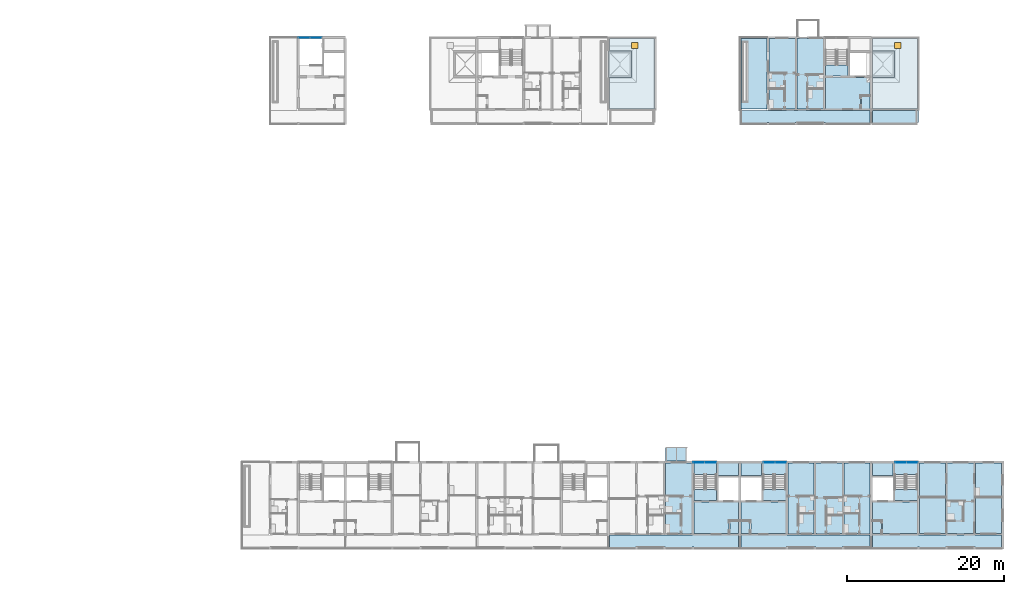
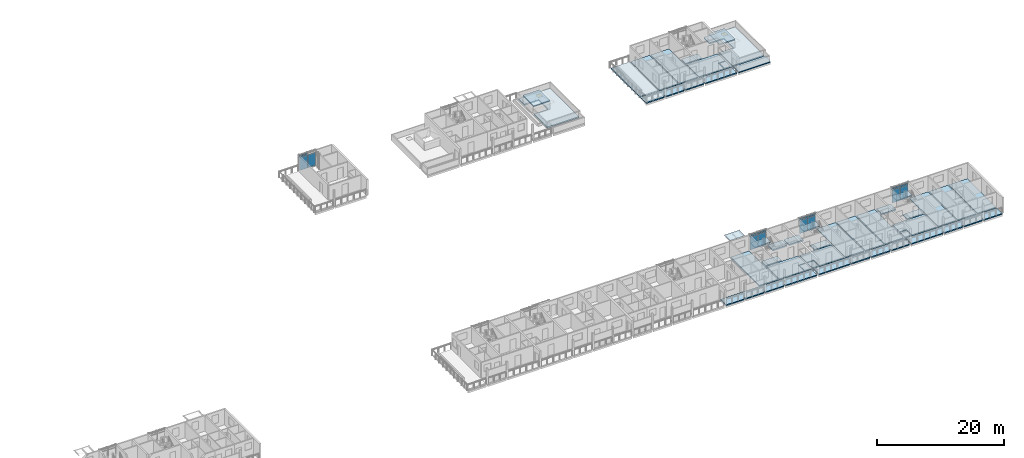
# One storey, part 29 of 78: 38 slabs, 15 plates, 2 doors, 2 openings, 7 elements without a shape of their own.
"""IFC4 building model written with IfcOpenShell, lengths in metres."""

from ifc_helpers import new_model, si_unit, direction, frame, origin, origin_2d, place, context, subcontext, project, spatial, polyline, rectangle, outline, extrude, material, layer, layer_set, type_object, element, fill, aggregate, save


model = new_model("IFC4")

# Units and contexts
model_context = context("Model", 3, precision=1e-05, world=origin(), true_north=direction((0.0, 1.0)))
body_context = subcontext(model_context, "Body", "Model", "MODEL_VIEW")
ifc_project = project(units=[si_unit("LENGTHUNIT", "METRE"), si_unit("AREAUNIT", "SQUARE_METRE"), si_unit("VOLUMEUNIT", "CUBIC_METRE"), si_unit("PLANEANGLEUNIT", "RADIAN"), si_unit("MASSUNIT", "GRAM", prefix="KILO")], contexts=[model_context])

# Site, building, storey
site_placement = place(None, origin())
site = spatial("IfcSite", under=ifc_project, at=site_placement, CompositionType="ELEMENT")
building_placement = place(site_placement, origin())
building = spatial("IfcBuilding", under=site, at=building_placement, Name="Ridgestep Commons", CompositionType="ELEMENT")
storey_placement = place(building_placement, frame((0.0, 0.0, 30.0)))
storey = spatial("IfcBuildingStorey", under=building, at=storey_placement, Name="L10", CompositionType="ELEMENT", Elevation=30.0)

# Slabs
ifc_material_1 = material(Name="Precast concrete C40/50", Category="concrete")
ifc_layer_1 = layer(ifc_material_1, 0.199951171875)
ifc_layer_set_1 = layer_set([ifc_layer_1], Name="Gallery roof slab 200")
slab_type_1 = type_object("IfcSlabType", Name="Gallery roof slab 200", PredefinedType="ROOF", material=ifc_layer_set_1)
slab_1_placement = place(storey_placement, frame((0.0, 0.0, -0.199951171875)))
element("IfcSlab", 1, at=slab_1_placement, inside=storey, type_object=slab_type_1, Name="Gallery slab C6 L10", PredefinedType="ROOF", context=body_context, shape_type="SweptSolid", body=[
    extrude(outline(polyline([(230.949951171875, 66.0), (236.675048828125, 66.0), (236.675048828125, 66.25), (236.800048828125, 66.25), (236.800048828125, 67.800048828125), (230.949951171875, 67.800048828125), (230.949951171875, 66.0)])), origin(), (0.0, 0.0, 1.0), 0.199951171875),
])
ifc_material_2 = material(Name="Precast concrete C40/50", Category="concrete")
ifc_layer_2 = layer(ifc_material_2, 0.199951171875)
ifc_layer_set_2 = layer_set([ifc_layer_2], Name="Gallery slab 200")
slab_type_2 = type_object("IfcSlabType", Name="Gallery slab 200", PredefinedType="FLOOR", material=ifc_layer_set_2)
slab_2_placement = place(storey_placement, frame((0.0, 0.0, -0.199951171875)))
element("IfcSlab", 2, at=slab_2_placement, inside=storey, type_object=slab_type_2, Name="Gallery slab C5 L10", PredefinedType="FLOOR", context=body_context, shape_type="SweptSolid", body=[
    extrude(outline(polyline([(230.64990234375, 67.800048828125), (214.14990234375, 67.800048828125), (214.14990234375, 66.0), (217.47509765625, 66.0), (217.47509765625, 66.25), (217.72509765625, 66.25), (217.72509765625, 66.0), (221.074951171875, 66.0), (221.074951171875, 66.25), (221.324951171875, 66.25), (221.324951171875, 66.0), (224.675048828125, 66.0), (224.675048828125, 66.25), (224.925048828125, 66.25), (224.925048828125, 66.0), (230.64990234375, 66.0), (230.64990234375, 67.800048828125)])), origin(), (0.0, 0.0, 1.0), 0.199951171875),
])
slab_3_placement = place(storey_placement, frame((0.0, 0.0, -0.199951171875)))
element("IfcSlab", 3, at=slab_3_placement, inside=storey, type_object=slab_type_2, Name="Gallery slab D4 L10", PredefinedType="FLOOR", context=body_context, shape_type="SweptSolid", body=[
    extrude(outline(polyline([(213.85009765625, 13.550048828125), (197.35009765625, 13.550048828125), (197.35009765625, 11.75), (200.675048828125, 11.75), (200.675048828125, 12.0), (200.925048828125, 12.0), (200.925048828125, 11.75), (204.27490234375, 11.75), (204.27490234375, 12.0), (204.52490234375, 12.0), (204.52490234375, 11.75), (207.875, 11.75), (207.875, 12.0), (208.125, 12.0), (208.125, 11.75), (213.85009765625, 11.75), (213.85009765625, 13.550048828125)])), origin(), (0.0, 0.0, 1.0), 0.199951171875),
])
slab_4_placement = place(storey_placement, frame((0.0, 0.0, -0.199951171875)))
element("IfcSlab", 4, at=slab_4_placement, inside=storey, type_object=slab_type_2, Name="Gallery slab D5 L10", PredefinedType="FLOOR", context=body_context, shape_type="SweptSolid", body=[
    extrude(outline(polyline([(230.64990234375, 13.550048828125), (214.14990234375, 13.550048828125), (214.14990234375, 11.75), (219.875, 11.75), (219.875, 12.0), (220.125, 12.0), (220.125, 11.75), (223.47509765625, 11.75), (223.47509765625, 12.0), (223.72509765625, 12.0), (223.72509765625, 11.75), (227.074951171875, 11.75), (227.074951171875, 12.0), (227.324951171875, 12.0), (227.324951171875, 11.75), (230.64990234375, 11.75), (230.64990234375, 13.550048828125)])), origin(), (0.0, 0.0, 1.0), 0.199951171875),
])
slab_5_placement = place(storey_placement, frame((0.0, 0.0, -0.199951171875)))
element("IfcSlab", 5, at=slab_5_placement, inside=storey, type_object=slab_type_2, Name="Gallery slab D6 L10", PredefinedType="FLOOR", context=body_context, shape_type="SweptSolid", body=[
    extrude(outline(polyline([(247.449951171875, 13.550048828125), (230.949951171875, 13.550048828125), (230.949951171875, 11.75), (236.675048828125, 11.75), (236.675048828125, 12.0), (236.925048828125, 12.0), (236.925048828125, 11.75), (240.27490234375, 11.75), (240.27490234375, 12.0), (240.52490234375, 12.0), (240.52490234375, 11.75), (243.875, 11.75), (243.875, 12.0), (244.125, 12.0), (244.125, 11.75), (247.449951171875, 11.75), (247.449951171875, 13.550048828125)])), origin(), (0.0, 0.0, 1.0), 0.199951171875),
])

# Curtain wall, plates
ifc_material_3 = material(Name="Aluminium 6063-T6 and glass", Category="aluminium")
curtain_wall_type = type_object("IfcCurtainWallType", Name="Curtain wall stair strip", PredefinedType="NOTDEFINED", material=ifc_material_3)
curtain_wall_1_placement = place(storey_placement, origin())
curtain_wall_1 = element("IfcCurtainWall", 6, at=curtain_wall_1_placement, inside=storey, type_object=curtain_wall_type, Name="Curtain wall D4C level 10", PredefinedType="NOTDEFINED")
ifc_material_4 = material(Name="Glass laminated 6/16/6 low-emissivity", Category="glass")
ifc_layer_3 = layer(ifc_material_4, 0.028076171875)
ifc_layer_set_3 = layer_set([ifc_layer_3], Name="Glazing panel 28")
plate_type_1 = type_object("IfcPlateType", Name="Glazing panel 28", PredefinedType="CURTAIN_PANEL", material=ifc_layer_set_3)
plate_1_placement = place(storey_placement, frame((208.771240234375, 22.830078125, 0.06005859375), z_axis=(0.0, 0.0, 1.0), x_axis=(1.0, 0.0, 0.0)))
plate_1 = element("IfcPlate", 7, at=plate_1_placement, type_object=plate_type_1, Name="CW1 panel 1.1", PredefinedType="CURTAIN_PANEL", context=body_context, shape_type="SweptSolid", body=[
    extrude(rectangle(XDim=1.422607421875, YDim=0.028076171875, at=origin_2d()), origin(), (0.0, 0.0, 1.0), 2.5),
])
plate_2_placement = place(storey_placement, frame((210.253662109375, 22.830078125, 0.06005859375), z_axis=(0.0, 0.0, 1.0), x_axis=(1.0, 0.0, 0.0)))
plate_2 = element("IfcPlate", 8, at=plate_2_placement, type_object=plate_type_1, Name="CW1 panel 2.1", PredefinedType="CURTAIN_PANEL", context=body_context, shape_type="SweptSolid", body=[
    extrude(rectangle(XDim=1.422607421875, YDim=0.028076171875, at=origin_2d()), origin(), (0.0, 0.0, 1.0), 2.5),
])

curtain_wall_2_placement = place(storey_placement, origin())
curtain_wall_2 = element("IfcCurtainWall", 9, at=curtain_wall_2_placement, inside=storey, type_object=curtain_wall_type, Name="Curtain wall D5C level 10", PredefinedType="NOTDEFINED")
plate_3_placement = place(storey_placement, frame((217.746337890625, 22.830078125, 0.06005859375), z_axis=(0.0, 0.0, 1.0), x_axis=(1.0, 0.0, 0.0)))
plate_3 = element("IfcPlate", 10, at=plate_3_placement, type_object=plate_type_1, Name="CW1 panel 1.1", PredefinedType="CURTAIN_PANEL", context=body_context, shape_type="SweptSolid", body=[
    extrude(rectangle(XDim=1.422607421875, YDim=0.028076171875, at=origin_2d()), origin(), (0.0, 0.0, 1.0), 2.5),
])
plate_4_placement = place(storey_placement, frame((219.228759765625, 22.830078125, 0.06005859375), z_axis=(0.0, 0.0, 1.0), x_axis=(1.0, 0.0, 0.0)))
plate_4 = element("IfcPlate", 11, at=plate_4_placement, type_object=plate_type_1, Name="CW1 panel 2.1", PredefinedType="CURTAIN_PANEL", context=body_context, shape_type="SweptSolid", body=[
    extrude(rectangle(XDim=1.422607421875, YDim=0.028076171875, at=origin_2d()), origin(), (0.0, 0.0, 1.0), 2.5),
])

curtain_wall_3_placement = place(storey_placement, origin())
curtain_wall_3 = element("IfcCurtainWall", 12, at=curtain_wall_3_placement, inside=storey, type_object=curtain_wall_type, Name="Curtain wall D6C level 10", PredefinedType="NOTDEFINED")
plate_5_placement = place(storey_placement, frame((234.546142578125, 22.830078125, 0.06005859375), z_axis=(0.0, 0.0, 1.0), x_axis=(1.0, 0.0, 0.0)))
plate_5 = element("IfcPlate", 13, at=plate_5_placement, type_object=plate_type_1, Name="CW1 panel 1.1", PredefinedType="CURTAIN_PANEL", context=body_context, shape_type="SweptSolid", body=[
    extrude(rectangle(XDim=1.422607421875, YDim=0.028076171875, at=origin_2d()), origin(), (0.0, 0.0, 1.0), 2.5),
])
plate_6_placement = place(storey_placement, frame((236.02880859375, 22.830078125, 0.06005859375), z_axis=(0.0, 0.0, 1.0), x_axis=(1.0, 0.0, 0.0)))
plate_6 = element("IfcPlate", 14, at=plate_6_placement, type_object=plate_type_1, Name="CW1 panel 2.1", PredefinedType="CURTAIN_PANEL", context=body_context, shape_type="SweptSolid", body=[
    extrude(rectangle(XDim=1.422607421875, YDim=0.028076171875, at=origin_2d()), origin(), (0.0, 0.0, 1.0), 2.5),
])

curtain_wall_4_placement = place(storey_placement, origin())
curtain_wall_4 = element("IfcCurtainWall", 15, at=curtain_wall_4_placement, inside=storey, type_object=curtain_wall_type, Name="Curtain wall C1C level 10", PredefinedType="NOTDEFINED")
plate_7_placement = place(storey_placement, frame((158.371337890625, 77.080078125, 0.06005859375), z_axis=(0.0, 0.0, 1.0), x_axis=(1.0, 0.0, 0.0)))
plate_7 = element("IfcPlate", 16, at=plate_7_placement, type_object=plate_type_1, Name="CW1 panel 1.1", PredefinedType="CURTAIN_PANEL", context=body_context, shape_type="SweptSolid", body=[
    extrude(rectangle(XDim=1.422607421875, YDim=0.028076171875, at=origin_2d()), origin(), (0.0, 0.0, 1.0), 2.5),
])
plate_8_placement = place(storey_placement, frame((159.853759765625, 77.080078125, 0.06005859375), z_axis=(0.0, 0.0, 1.0), x_axis=(1.0, 0.0, 0.0)))
plate_8 = element("IfcPlate", 17, at=plate_8_placement, type_object=plate_type_1, Name="CW1 panel 2.1", PredefinedType="CURTAIN_PANEL", context=body_context, shape_type="SweptSolid", body=[
    extrude(rectangle(XDim=1.422607421875, YDim=0.028076171875, at=origin_2d()), origin(), (0.0, 0.0, 1.0), 2.5),
])

# Slabs
ifc_material_5 = material(Name="Precast concrete C50/60", Category="concrete")
ifc_layer_4 = layer(ifc_material_5, 0.199951171875)
ifc_layer_set_4 = layer_set([ifc_layer_4], Name="Hollow-core plank 200")
slab_type_3 = type_object("IfcSlabType", Name="Hollow-core plank 200", PredefinedType="FLOOR", material=ifc_layer_set_4)
slab_6_placement = place(storey_placement, frame((0.0, 0.0, -0.199951171875)))
element("IfcSlab", 18, at=slab_6_placement, inside=storey, type_object=slab_type_3, Name="Floor plank C5T2 L10", PredefinedType="FLOOR", context=body_context, shape_type="SweptSolid", body=[
    extrude(outline(polyline([(221.10009765625, 68.0), (221.10009765625, 77.0), (217.699951171875, 77.0), (217.699951171875, 68.0), (221.10009765625, 68.0)])), origin(), (0.0, 0.0, 1.0), 0.199951171875),
])
slab_7_placement = place(storey_placement, frame((0.0, 0.0, -0.199951171875)))
element("IfcSlab", 19, at=slab_7_placement, inside=storey, type_object=slab_type_3, Name="Floor plank C5T3 L10", PredefinedType="FLOOR", context=body_context, shape_type="SweptSolid", body=[
    extrude(outline(polyline([(224.675048828125, 68.0), (224.675048828125, 77.0), (221.300048828125, 77.0), (221.300048828125, 68.0), (224.675048828125, 68.0)])), origin(), (0.0, 0.0, 1.0), 0.199951171875),
])
slab_8_placement = place(storey_placement, frame((0.0, 0.0, -0.199951171875)))
element("IfcSlab", 20, at=slab_8_placement, inside=storey, type_object=slab_type_3, Name="Floor plank D4T3 L10", PredefinedType="FLOOR", context=body_context, shape_type="SweptSolid", body=[
    extrude(outline(polyline([(207.875, 13.75), (207.875, 22.75), (204.5, 22.75), (204.5, 13.75), (207.875, 13.75)])), origin(), (0.0, 0.0, 1.0), 0.199951171875),
])
slab_9_placement = place(storey_placement, frame((0.0, 0.0, -0.199951171875)))
element("IfcSlab", 21, at=slab_9_placement, inside=storey, type_object=slab_type_3, Name="Floor plank D5T3 L10", PredefinedType="FLOOR", context=body_context, shape_type="SweptSolid", body=[
    extrude(outline(polyline([(223.5, 13.75), (223.5, 22.75), (220.125, 22.75), (220.125, 13.75), (223.5, 13.75)])), origin(), (0.0, 0.0, 1.0), 0.199951171875),
])
slab_10_placement = place(storey_placement, frame((0.0, 0.0, -0.199951171875)))
element("IfcSlab", 22, at=slab_10_placement, inside=storey, type_object=slab_type_3, Name="Floor plank D5T2 L10", PredefinedType="FLOOR", context=body_context, shape_type="SweptSolid", body=[
    extrude(outline(polyline([(227.10009765625, 13.75), (227.10009765625, 22.75), (223.699951171875, 22.75), (223.699951171875, 13.75), (227.10009765625, 13.75)])), origin(), (0.0, 0.0, 1.0), 0.199951171875),
])
slab_11_placement = place(storey_placement, frame((0.0, 0.0, -0.199951171875)))
element("IfcSlab", 23, at=slab_11_placement, inside=storey, type_object=slab_type_3, Name="Floor plank D5T1 L10", PredefinedType="FLOOR", context=body_context, shape_type="SweptSolid", body=[
    extrude(outline(polyline([(230.64990234375, 13.75), (230.64990234375, 22.75), (227.300048828125, 22.75), (227.300048828125, 13.75), (230.64990234375, 13.75)])), origin(), (0.0, 0.0, 1.0), 0.199951171875),
])
slab_12_placement = place(storey_placement, frame((0.0, 0.0, -0.199951171875)))
element("IfcSlab", 24, at=slab_12_placement, inside=storey, type_object=slab_type_3, Name="Floor plank D6T3 L10", PredefinedType="FLOOR", context=body_context, shape_type="SweptSolid", body=[
    extrude(outline(polyline([(240.300048828125, 13.75), (240.300048828125, 22.75), (236.925048828125, 22.75), (236.925048828125, 13.75), (240.300048828125, 13.75)])), origin(), (0.0, 0.0, 1.0), 0.199951171875),
])
slab_13_placement = place(storey_placement, frame((0.0, 0.0, -0.199951171875)))
element("IfcSlab", 25, at=slab_13_placement, inside=storey, type_object=slab_type_3, Name="Floor plank D6T2 L10", PredefinedType="FLOOR", context=body_context, shape_type="SweptSolid", body=[
    extrude(outline(polyline([(243.89990234375, 13.75), (243.89990234375, 22.75), (240.5, 22.75), (240.5, 13.75), (243.89990234375, 13.75)])), origin(), (0.0, 0.0, 1.0), 0.199951171875),
])
slab_14_placement = place(storey_placement, frame((0.0, 0.0, -0.199951171875)))
element("IfcSlab", 26, at=slab_14_placement, inside=storey, type_object=slab_type_3, Name="Floor plank D6T1 L10", PredefinedType="FLOOR", context=body_context, shape_type="SweptSolid", body=[
    extrude(outline(polyline([(247.449951171875, 13.75), (247.449951171875, 22.75), (244.10009765625, 22.75), (244.10009765625, 13.75), (247.449951171875, 13.75)])), origin(), (0.0, 0.0, 1.0), 0.199951171875),
])
ifc_material_6 = material(Name="Precast concrete C50/60", Category="concrete")
ifc_layer_5 = layer(ifc_material_6, 0.25)
ifc_layer_set_5 = layer_set([ifc_layer_5], Name="Hollow-core plank 250")
slab_type_4 = type_object("IfcSlabType", Name="Hollow-core plank 250", PredefinedType="FLOOR", material=ifc_layer_set_5)
slab_15_placement = place(storey_placement, frame((0.0, 0.0, -0.25)))
element("IfcSlab", 27, at=slab_15_placement, inside=storey, type_object=slab_type_4, Name="Floor plank C5C L10", PredefinedType="FLOOR", context=body_context, shape_type="SweptSolid", body=[
    extrude(outline(polyline([(229.52001953125, 69.719970703125), (230.64990234375, 69.719970703125), (230.64990234375, 72.0), (224.925048828125, 72.0), (224.925048828125, 68.0), (229.39990234375, 68.0), (229.39990234375, 69.719970703125), (229.52001953125, 69.719970703125)])), origin(), (0.0, 0.0, 1.0), 0.25),
])
slab_16_placement = place(storey_placement, frame((0.0, 0.0, -0.25)))
element("IfcSlab", 28, at=slab_16_placement, inside=storey, type_object=slab_type_4, Name="Floor plank C5C L10", PredefinedType="FLOOR", context=body_context, shape_type="SweptSolid", body=[
    extrude(outline(polyline([(227.824951171875, 72.199951171875), (227.824951171875, 73.60009765625), (224.925048828125, 73.60009765625), (224.925048828125, 72.199951171875), (227.824951171875, 72.199951171875)])), origin(), (0.0, 0.0, 1.0), 0.25),
])
slab_17_placement = place(storey_placement, frame((0.0, 0.0, -0.25)))
element("IfcSlab", 29, at=slab_17_placement, inside=storey, type_object=slab_type_4, Name="Floor plank C5C L10", PredefinedType="FLOOR", context=body_context, shape_type="SweptSolid", body=[
    extrude(outline(polyline([(229.52001953125, 68.0), (230.64990234375, 68.0), (230.64990234375, 69.60009765625), (229.52001953125, 69.60009765625), (229.52001953125, 68.0)])), origin(), (0.0, 0.0, 1.0), 0.25),
])
slab_18_placement = place(storey_placement, frame((0.0, 0.0, -0.25)))
element("IfcSlab", 30, at=slab_18_placement, inside=storey, type_object=slab_type_4, Name="Floor plank D4C L10", PredefinedType="FLOOR", context=body_context, shape_type="SweptSolid", body=[
    extrude(outline(polyline([(212.719970703125, 15.469970703125), (213.85009765625, 15.469970703125), (213.85009765625, 17.75), (208.125, 17.75), (208.125, 13.75), (212.60009765625, 13.75), (212.60009765625, 15.469970703125), (212.719970703125, 15.469970703125)])), origin(), (0.0, 0.0, 1.0), 0.25),
])
slab_19_placement = place(storey_placement, frame((0.0, 0.0, -0.25)))
element("IfcSlab", 31, at=slab_19_placement, inside=storey, type_object=slab_type_4, Name="Floor plank D4C L10", PredefinedType="FLOOR", context=body_context, shape_type="SweptSolid", body=[
    extrude(outline(polyline([(213.85009765625, 21.14990234375), (213.85009765625, 22.75), (211.22509765625, 22.75), (211.22509765625, 21.14990234375), (213.85009765625, 21.14990234375)])), origin(), (0.0, 0.0, 1.0), 0.25),
])
slab_20_placement = place(storey_placement, frame((0.0, 0.0, -0.25)))
element("IfcSlab", 32, at=slab_20_placement, inside=storey, type_object=slab_type_4, Name="Floor plank D4C L10", PredefinedType="FLOOR", context=body_context, shape_type="SweptSolid", body=[
    extrude(outline(polyline([(211.02490234375, 17.949951171875), (211.02490234375, 19.35009765625), (208.125, 19.35009765625), (208.125, 17.949951171875), (211.02490234375, 17.949951171875)])), origin(), (0.0, 0.0, 1.0), 0.25),
])
slab_21_placement = place(storey_placement, frame((0.0, 0.0, -0.25)))
element("IfcSlab", 33, at=slab_21_placement, inside=storey, type_object=slab_type_4, Name="Floor plank D4C L10", PredefinedType="FLOOR", context=body_context, shape_type="SweptSolid", body=[
    extrude(outline(polyline([(212.719970703125, 13.75), (213.85009765625, 13.75), (213.85009765625, 15.35009765625), (212.719970703125, 15.35009765625), (212.719970703125, 13.75)])), origin(), (0.0, 0.0, 1.0), 0.25),
])
slab_22_placement = place(storey_placement, frame((0.0, 0.0, -0.25)))
element("IfcSlab", 34, at=slab_22_placement, inside=storey, type_object=slab_type_4, Name="Floor plank D5C L10", PredefinedType="FLOOR", context=body_context, shape_type="SweptSolid", body=[
    extrude(outline(polyline([(215.39990234375, 13.75), (219.875, 13.75), (219.875, 17.75), (214.14990234375, 17.75), (214.14990234375, 15.469970703125), (215.280029296875, 15.469970703125), (215.39990234375, 15.469970703125), (215.39990234375, 13.75)])), origin(), (0.0, 0.0, 1.0), 0.25),
])
slab_23_placement = place(storey_placement, frame((0.0, 0.0, -0.25)))
element("IfcSlab", 35, at=slab_23_placement, inside=storey, type_object=slab_type_4, Name="Floor plank D5C L10", PredefinedType="FLOOR", context=body_context, shape_type="SweptSolid", body=[
    extrude(outline(polyline([(216.77490234375, 22.75), (214.14990234375, 22.75), (214.14990234375, 21.14990234375), (216.77490234375, 21.14990234375), (216.77490234375, 22.75)])), origin(), (0.0, 0.0, 1.0), 0.25),
])
slab_24_placement = place(storey_placement, frame((0.0, 0.0, -0.25)))
element("IfcSlab", 36, at=slab_24_placement, inside=storey, type_object=slab_type_4, Name="Floor plank D5C L10", PredefinedType="FLOOR", context=body_context, shape_type="SweptSolid", body=[
    extrude(outline(polyline([(219.875, 17.949951171875), (219.875, 19.35009765625), (216.97509765625, 19.35009765625), (216.97509765625, 17.949951171875), (219.875, 17.949951171875)])), origin(), (0.0, 0.0, 1.0), 0.25),
])
slab_25_placement = place(storey_placement, frame((0.0, 0.0, -0.25)))
element("IfcSlab", 37, at=slab_25_placement, inside=storey, type_object=slab_type_4, Name="Floor plank D5C L10", PredefinedType="FLOOR", context=body_context, shape_type="SweptSolid", body=[
    extrude(outline(polyline([(215.280029296875, 15.35009765625), (214.14990234375, 15.35009765625), (214.14990234375, 13.75), (215.280029296875, 13.75), (215.280029296875, 15.35009765625)])), origin(), (0.0, 0.0, 1.0), 0.25),
])
slab_26_placement = place(storey_placement, frame((0.0, 0.0, -0.25)))
element("IfcSlab", 38, at=slab_26_placement, inside=storey, type_object=slab_type_4, Name="Floor plank D6C L10", PredefinedType="FLOOR", context=body_context, shape_type="SweptSolid", body=[
    extrude(outline(polyline([(232.199951171875, 13.75), (236.675048828125, 13.75), (236.675048828125, 17.75), (230.949951171875, 17.75), (230.949951171875, 15.469970703125), (232.080078125, 15.469970703125), (232.199951171875, 15.469970703125), (232.199951171875, 13.75)])), origin(), (0.0, 0.0, 1.0), 0.25),
])
slab_27_placement = place(storey_placement, frame((0.0, 0.0, -0.25)))
element("IfcSlab", 39, at=slab_27_placement, inside=storey, type_object=slab_type_4, Name="Floor plank D6C L10", PredefinedType="FLOOR", context=body_context, shape_type="SweptSolid", body=[
    extrude(outline(polyline([(233.574951171875, 22.75), (230.949951171875, 22.75), (230.949951171875, 21.14990234375), (233.574951171875, 21.14990234375), (233.574951171875, 22.75)])), origin(), (0.0, 0.0, 1.0), 0.25),
])
slab_28_placement = place(storey_placement, frame((0.0, 0.0, -0.25)))
element("IfcSlab", 40, at=slab_28_placement, inside=storey, type_object=slab_type_4, Name="Floor plank D6C L10", PredefinedType="FLOOR", context=body_context, shape_type="SweptSolid", body=[
    extrude(outline(polyline([(236.675048828125, 17.949951171875), (236.675048828125, 19.35009765625), (233.77490234375, 19.35009765625), (233.77490234375, 17.949951171875), (236.675048828125, 17.949951171875)])), origin(), (0.0, 0.0, 1.0), 0.25),
])
slab_29_placement = place(storey_placement, frame((0.0, 0.0, -0.25)))
element("IfcSlab", 41, at=slab_29_placement, inside=storey, type_object=slab_type_4, Name="Floor plank D6C L10", PredefinedType="FLOOR", context=body_context, shape_type="SweptSolid", body=[
    extrude(outline(polyline([(232.080078125, 15.35009765625), (230.949951171875, 15.35009765625), (230.949951171875, 13.75), (232.080078125, 13.75), (232.080078125, 15.35009765625)])), origin(), (0.0, 0.0, 1.0), 0.25),
])
ifc_material_7 = material(Name="Precast concrete C50/60", Category="concrete")
ifc_layer_6 = layer(ifc_material_7, 0.199951171875)
ifc_layer_set_6 = layer_set([ifc_layer_6], Name="Overrun roof 200")
slab_type_5 = type_object("IfcSlabType", Name="Overrun roof 200", PredefinedType="ROOF", material=ifc_layer_set_6)
slab_30_placement = place(storey_placement, frame((0.0, 0.0, 1.5)))
element("IfcSlab", 42, at=slab_30_placement, inside=storey, type_object=slab_type_5, Name="Lift overrun roof C4C", PredefinedType="ROOF", context=body_context, shape_type="SweptSolid", body=[
    extrude(outline(polyline([(200.175048828125, 72.0), (200.175048828125, 75.39990234375), (197.199951171875, 75.39990234375), (197.199951171875, 72.0), (200.175048828125, 72.0)])), origin(), (0.0, 0.0, 1.0), 0.199951171875),
])
slab_31_placement = place(storey_placement, frame((0.0, 0.0, 1.5)))
element("IfcSlab", 43, at=slab_31_placement, inside=storey, type_object=slab_type_5, Name="Lift overrun roof C6C", PredefinedType="ROOF", context=body_context, shape_type="SweptSolid", body=[
    extrude(outline(polyline([(233.77490234375, 75.39990234375), (230.949951171875, 75.39990234375), (230.949951171875, 72.0), (233.77490234375, 72.0), (233.77490234375, 75.39990234375)])), origin(), (0.0, 0.0, 1.0), 0.199951171875),
])

# Slab, opening, door
ifc_material_8 = material(Name="Precast concrete C50/60", Category="concrete")
ifc_layer_7 = layer(ifc_material_8, 0.25)
ifc_layer_set_7 = layer_set([ifc_layer_7], Name="Roof slab 250")
slab_type_6 = type_object("IfcSlabType", Name="Roof slab 250", PredefinedType="ROOF", material=ifc_layer_set_7)
slab_32_placement = place(storey_placement, frame((0.0, 0.0, -0.25)))
slab_32 = element("IfcSlab", 44, at=slab_32_placement, inside=storey, type_object=slab_type_6, Name="Roof slab C4C", PredefinedType="ROOF", context=body_context, shape_type="SweptSolid", body=[
    extrude(outline(polyline([(197.35009765625, 77.0), (197.35009765625, 75.199951171875), (199.97509765625, 75.199951171875), (199.97509765625, 72.199951171875), (197.35009765625, 72.199951171875), (197.35009765625, 68.0), (203.074951171875, 68.0), (203.074951171875, 77.0), (197.35009765625, 77.0)])), origin(), (0.0, 0.0, 1.0), 0.25),
])
opening_1_placement = place(slab_32_placement, frame((200.574951171875, 76.10009765625, 0.0)))
opening_1 = element("IfcOpeningElement", 45, at=opening_1_placement, cuts=slab_32, Name="Opening C4C/RF/1", PredefinedType="OPENING", context=body_context, shape_type="SweptSolid", body=[
    extrude(rectangle(XDim=0.800048828125, YDim=0.800048828125, at=origin_2d()), origin(), (0.0, 0.0, 1.0), 0.25),
])
ifc_material_9 = material(Name="Steel", Category="steel")
door_type = type_object("IfcDoorType", Name="Ladder roof hatch 800 x 800", OperationType="SINGLE_SWING_LEFT", PredefinedType="TRAPDOOR", material=ifc_material_9)
door_1_placement = place(opening_1_placement, frame((0.0, 0.0, 0.199951171875)))
door_1 = element("IfcDoor", 46, at=door_1_placement, inside=storey, type_object=door_type, Name="Roof hatch C4C", OperationType="SINGLE_SWING_LEFT", OverallHeight=0.800048828125, OverallWidth=0.800048828125, PredefinedType="TRAPDOOR", context=body_context, shape_type="SweptSolid", body=[
    extrude(rectangle(XDim=0.800048828125, YDim=0.800048828125, at=origin_2d()), origin(), (0.0, 0.0, 1.0), 0.050048828125),
])
fill(opening_1, door_1)

# Slab
slab_33_placement = place(storey_placement, frame((0.0, 0.0, -0.25)))
element("IfcSlab", 47, at=slab_33_placement, inside=storey, type_object=slab_type_6, Name="Terrace slab C5T1", PredefinedType="ROOF", context=body_context, shape_type="SweptSolid", body=[
    extrude(outline(polyline([(217.5, 68.0), (217.5, 77.0), (214.14990234375, 77.0), (214.14990234375, 68.0), (217.5, 68.0)])), origin(), (0.0, 0.0, 1.0), 0.25),
])

# Slab, opening, door
slab_34_placement = place(storey_placement, frame((0.0, 0.0, -0.25)))
slab_34 = element("IfcSlab", 48, at=slab_34_placement, inside=storey, type_object=slab_type_6, Name="Roof slab C6C", PredefinedType="ROOF", context=body_context, shape_type="SweptSolid", body=[
    extrude(outline(polyline([(230.949951171875, 77.0), (230.949951171875, 75.199951171875), (233.574951171875, 75.199951171875), (233.574951171875, 72.199951171875), (230.949951171875, 72.199951171875), (230.949951171875, 68.0), (236.675048828125, 68.0), (236.675048828125, 77.0), (230.949951171875, 77.0)])), origin(), (0.0, 0.0, 1.0), 0.25),
])
opening_2_placement = place(slab_34_placement, frame((234.175048828125, 76.10009765625, 0.0)))
opening_2 = element("IfcOpeningElement", 49, at=opening_2_placement, cuts=slab_34, Name="Opening C6C/RF/1", PredefinedType="OPENING", context=body_context, shape_type="SweptSolid", body=[
    extrude(rectangle(XDim=0.800048828125, YDim=0.800048828125, at=origin_2d()), origin(), (0.0, 0.0, 1.0), 0.25),
])
door_2_placement = place(opening_2_placement, frame((0.0, 0.0, 0.199951171875)))
door_2 = element("IfcDoor", 50, at=door_2_placement, inside=storey, type_object=door_type, Name="Roof hatch C6C", OperationType="SINGLE_SWING_LEFT", OverallHeight=0.800048828125, OverallWidth=0.800048828125, PredefinedType="TRAPDOOR", context=body_context, shape_type="SweptSolid", body=[
    extrude(rectangle(XDim=0.800048828125, YDim=0.800048828125, at=origin_2d()), origin(), (0.0, 0.0, 1.0), 0.050048828125),
])
fill(opening_2, door_2)

# Plate
ifc_material_10 = material(Name="Aluminium 6063-T6 and mineral wool", Category="aluminium")
ifc_layer_8 = layer(ifc_material_10, 0.0400390625)
ifc_layer_set_8 = layer_set([ifc_layer_8], Name="Spandrel panel 40")
plate_type_2 = type_object("IfcPlateType", Name="Spandrel panel 40", PredefinedType="CURTAIN_PANEL", material=ifc_layer_set_8)
plate_9_placement = place(storey_placement, frame((208.771240234375, 22.830078125, 2.6201171875), z_axis=(0.0, 0.0, 1.0), x_axis=(1.0, 0.0, 0.0)))
plate_9 = element("IfcPlate", 51, at=plate_9_placement, type_object=plate_type_2, Name="CW1 panel 1.2", PredefinedType="CURTAIN_PANEL", context=body_context, shape_type="SweptSolid", body=[
    extrude(rectangle(XDim=1.422607421875, YDim=0.0400390625, at=origin_2d()), origin(), (0.0, 0.0, 1.0), 0.320068359375),
])

plate_10_placement = place(storey_placement, frame((210.253662109375, 22.830078125, 2.6201171875), z_axis=(0.0, 0.0, 1.0), x_axis=(1.0, 0.0, 0.0)))
plate_10 = element("IfcPlate", 52, at=plate_10_placement, type_object=plate_type_2, Name="CW1 panel 2.2", PredefinedType="CURTAIN_PANEL", context=body_context, shape_type="SweptSolid", body=[
    extrude(rectangle(XDim=1.422607421875, YDim=0.0400390625, at=origin_2d()), origin(), (0.0, 0.0, 1.0), 0.320068359375),
])

aggregate(curtain_wall_1, [plate_1, plate_9, plate_2, plate_10])

plate_11_placement = place(storey_placement, frame((217.746337890625, 22.830078125, 2.6201171875), z_axis=(0.0, 0.0, 1.0), x_axis=(1.0, 0.0, 0.0)))
plate_11 = element("IfcPlate", 53, at=plate_11_placement, type_object=plate_type_2, Name="CW1 panel 1.2", PredefinedType="CURTAIN_PANEL", context=body_context, shape_type="SweptSolid", body=[
    extrude(rectangle(XDim=1.422607421875, YDim=0.0400390625, at=origin_2d()), origin(), (0.0, 0.0, 1.0), 0.320068359375),
])

plate_12_placement = place(storey_placement, frame((219.228759765625, 22.830078125, 2.6201171875), z_axis=(0.0, 0.0, 1.0), x_axis=(1.0, 0.0, 0.0)))
plate_12 = element("IfcPlate", 54, at=plate_12_placement, type_object=plate_type_2, Name="CW1 panel 2.2", PredefinedType="CURTAIN_PANEL", context=body_context, shape_type="SweptSolid", body=[
    extrude(rectangle(XDim=1.422607421875, YDim=0.0400390625, at=origin_2d()), origin(), (0.0, 0.0, 1.0), 0.320068359375),
])

aggregate(curtain_wall_2, [plate_3, plate_11, plate_4, plate_12])

plate_13_placement = place(storey_placement, frame((234.546142578125, 22.830078125, 2.6201171875), z_axis=(0.0, 0.0, 1.0), x_axis=(1.0, 0.0, 0.0)))
plate_13 = element("IfcPlate", 55, at=plate_13_placement, type_object=plate_type_2, Name="CW1 panel 1.2", PredefinedType="CURTAIN_PANEL", context=body_context, shape_type="SweptSolid", body=[
    extrude(rectangle(XDim=1.422607421875, YDim=0.0400390625, at=origin_2d()), origin(), (0.0, 0.0, 1.0), 0.320068359375),
])

plate_14_placement = place(storey_placement, frame((236.02880859375, 22.830078125, 2.6201171875), z_axis=(0.0, 0.0, 1.0), x_axis=(1.0, 0.0, 0.0)))
plate_14 = element("IfcPlate", 56, at=plate_14_placement, type_object=plate_type_2, Name="CW1 panel 2.2", PredefinedType="CURTAIN_PANEL", context=body_context, shape_type="SweptSolid", body=[
    extrude(rectangle(XDim=1.422607421875, YDim=0.0400390625, at=origin_2d()), origin(), (0.0, 0.0, 1.0), 0.320068359375),
])

aggregate(curtain_wall_3, [plate_5, plate_13, plate_6, plate_14])

plate_15_placement = place(storey_placement, frame((158.371337890625, 77.080078125, 2.6201171875), z_axis=(0.0, 0.0, 1.0), x_axis=(1.0, 0.0, 0.0)))
plate_15 = element("IfcPlate", 57, at=plate_15_placement, type_object=plate_type_2, Name="CW1 panel 1.2", PredefinedType="CURTAIN_PANEL", context=body_context, shape_type="SweptSolid", body=[
    extrude(rectangle(XDim=1.422607421875, YDim=0.0400390625, at=origin_2d()), origin(), (0.0, 0.0, 1.0), 0.320068359375),
])

aggregate(curtain_wall_4, [plate_7, plate_15, plate_8])

# Stair, slab
ifc_material_11 = material(Name="Precast concrete C40/50", Category="concrete")
stair_type = type_object("IfcStairType", Name="Escape stair 1400", PredefinedType="HALF_TURN_STAIR", material=ifc_material_11)
stair_1_placement = place(storey_placement, origin())
stair_1 = element("IfcStair", 58, at=stair_1_placement, inside=storey, type_object=stair_type, Name="L10 Escape stair D4C", PredefinedType="HALF_TURN_STAIR")
ifc_material_12 = material(Name="Precast concrete C40/50", Category="concrete")
ifc_layer_9 = layer(ifc_material_12, 0.199951171875)
ifc_layer_set_9 = layer_set([ifc_layer_9], Name="Stair landing 200")
slab_type_7 = type_object("IfcSlabType", Name="Stair landing 200", PredefinedType="LANDING", material=ifc_layer_set_9)
slab_35_placement = place(storey_placement, frame((0.0, 0.0, 1.300048828125)))
slab_35 = element("IfcSlab", 59, at=slab_35_placement, type_object=slab_type_7, Name="D4C landing 1", PredefinedType="LANDING", context=body_context, shape_type="SweptSolid", body=[
    extrude(outline(polyline([(211.02490234375, 21.31005859375), (211.02490234375, 22.75), (208.125, 22.75), (208.125, 21.31005859375), (211.02490234375, 21.31005859375)])), origin(), (0.0, 0.0, 1.0), 0.199951171875),
])
aggregate(stair_1, [slab_35])

stair_2_placement = place(storey_placement, origin())
stair_2 = element("IfcStair", 60, at=stair_2_placement, inside=storey, type_object=stair_type, Name="L10 Escape stair D5C", PredefinedType="HALF_TURN_STAIR")
slab_36_placement = place(storey_placement, frame((0.0, 0.0, 1.300048828125)))
slab_36 = element("IfcSlab", 61, at=slab_36_placement, type_object=slab_type_7, Name="D5C landing 1", PredefinedType="LANDING", context=body_context, shape_type="SweptSolid", body=[
    extrude(outline(polyline([(219.875, 21.31005859375), (219.875, 22.75), (216.97509765625, 22.75), (216.97509765625, 21.31005859375), (219.875, 21.31005859375)])), origin(), (0.0, 0.0, 1.0), 0.199951171875),
])
aggregate(stair_2, [slab_36])

stair_3_placement = place(storey_placement, origin())
stair_3 = element("IfcStair", 62, at=stair_3_placement, inside=storey, type_object=stair_type, Name="L10 Escape stair D6C", PredefinedType="HALF_TURN_STAIR")
slab_37_placement = place(storey_placement, frame((0.0, 0.0, 1.300048828125)))
slab_37 = element("IfcSlab", 63, at=slab_37_placement, type_object=slab_type_7, Name="D6C landing 1", PredefinedType="LANDING", context=body_context, shape_type="SweptSolid", body=[
    extrude(outline(polyline([(236.675048828125, 21.31005859375), (236.675048828125, 22.75), (233.77490234375, 22.75), (233.77490234375, 21.31005859375), (236.675048828125, 21.31005859375)])), origin(), (0.0, 0.0, 1.0), 0.199951171875),
])
aggregate(stair_3, [slab_37])

# Slab
ifc_material_13 = material(Name="Weathering steel S355J2W", Category="steel")
ifc_layer_10 = layer(ifc_material_13, 0.010009765625)
ifc_layer_set_10 = layer_set([ifc_layer_10], Name="Tray 2.8 x 1.8")
slab_type_8 = type_object("IfcSlabType", Name="Tray 2.8 x 1.8", PredefinedType="FLOOR", material=ifc_layer_set_10)
slab_38_placement = place(storey_placement, frame((0.0, 0.0, 2.989990234375)))
element("IfcSlab", 64, at=slab_38_placement, inside=storey, type_object=slab_type_8, Name="Tray deck D4T3-11", PredefinedType="FLOOR", context=body_context, shape_type="SweptSolid", body=[
    extrude(outline(polyline([(204.530029296875, 23.0), (207.27001953125, 23.0), (207.27001953125, 24.800048828125), (204.530029296875, 24.800048828125), (204.530029296875, 23.0)])), origin(), (0.0, 0.0, 1.0), 0.010009765625),
])

save(model, "model.ifc")
